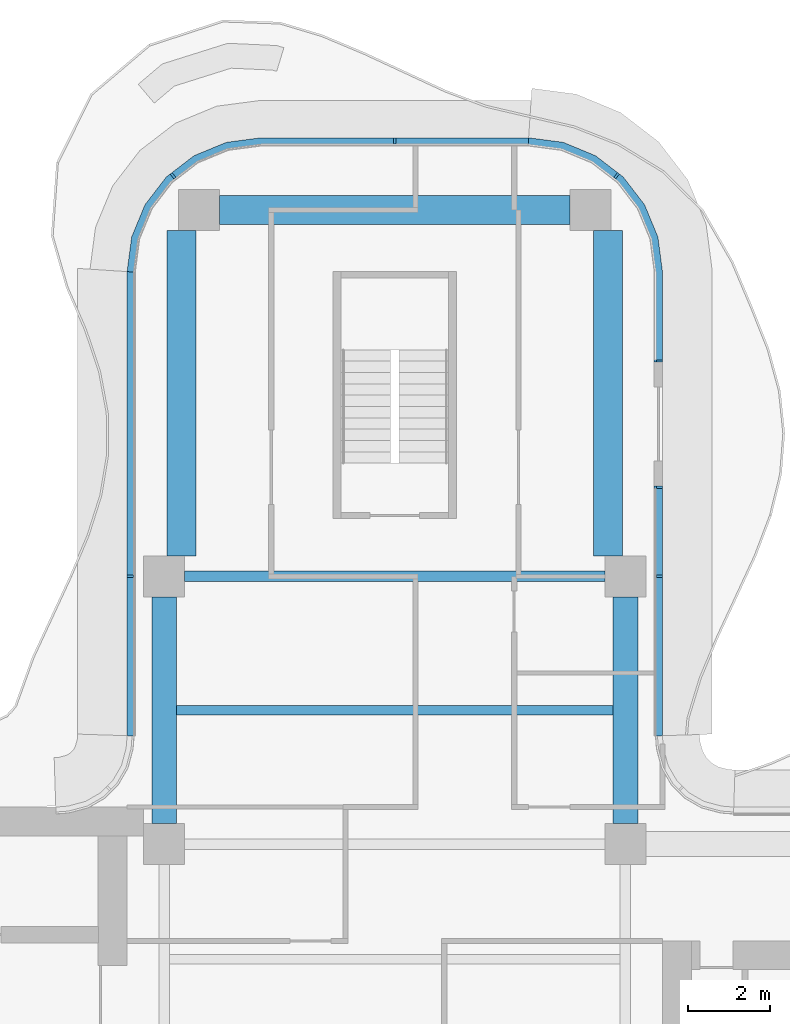
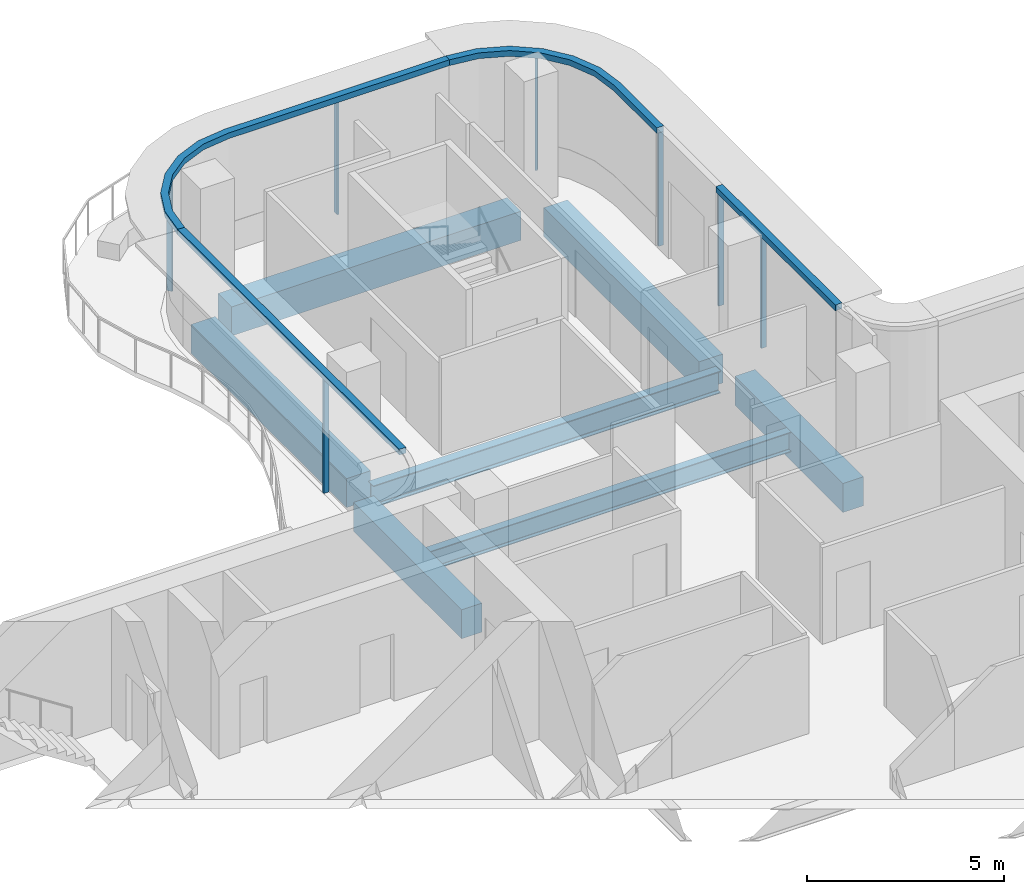
# One storey, part 7 of 15: 11 members, 7 beams, 4 elements without a shape of their own.
"""IFC4 building model written with IfcOpenShell, lengths in metres."""

import ifcopenshell
import ifcopenshell.guid

model = None  # the IFC model being written
_history = None  # IfcOwnerHistory: only IFC2X3 demands one
_inside = {}  # id of a spatial element -> (the spatial element, [elements in it])
_under = {}  # id of a project, library or spatial element -> (it, [spatial elements below it])
_declared = {}  # id of a project -> (the project, [libraries it declares])
_typed = {}  # id of a type object -> (the type object, [elements of that type])
_made_of = {}  # id of a material, layer set ... -> (it, [elements and type objects made of it])


def new_model(schema):
    """Start an empty IFC model of exactly this schema.

    Asked for "IFC4X3", IfcOpenShell would pick the latest addendum, in which some entities
    have other attributes; the version numbers below select the first issue.
    IFC2X3 requires an IfcOwnerHistory on every rooted entity: one is made here for all.
    """
    global model, _history
    if schema == "IFC4X3":
        model = ifcopenshell.file(schema_version=(4, 3, 0, 0))
    else:
        model = ifcopenshell.file(schema=schema)
    _inside.clear()
    _under.clear()
    _declared.clear()
    _typed.clear()
    _made_of.clear()
    _history = None
    if model.schema == "IFC2X3":
        org = make("IfcOrganization", Name="unknown")
        user = make(
            "IfcPersonAndOrganization",
            ThePerson=make("IfcPerson", FamilyName="unknown"),
            TheOrganization=org,
        )
        app = make(
            "IfcApplication",
            ApplicationDeveloper=org,
            Version="unknown",
            ApplicationFullName="unknown",
            ApplicationIdentifier="unknown",
        )
        _history = make(
            "IfcOwnerHistory",
            OwningUser=user,
            OwningApplication=app,
            ChangeAction="ADDED",
            CreationDate=0,
        )
    return model


def make(cls, **values):
    """One entity of the class cls with the attributes given. An attribute that is None is left unset."""
    return model.create_entity(
        cls, **{name: value for name, value in values.items() if value is not None}
    )


def rooted(cls, **values):
    """An entity with a GlobalId (a new one), such as an element, a storey or a relation."""
    return make(cls, GlobalId=ifcopenshell.guid.new(), OwnerHistory=_history, **values)


def si_unit(unit_type, name, prefix=None):
    """IfcSIUnit, for example si_unit("LENGTHUNIT", "METRE", prefix="MILLI")."""
    return make("IfcSIUnit", UnitType=unit_type, Prefix=prefix, Name=name)


def assignment(units):
    """IfcUnitAssignment: the units of a project."""
    return None if units is None else make("IfcUnitAssignment", Units=units)


def point(xyz):
    """IfcCartesianPoint."""
    return None if xyz is None else make("IfcCartesianPoint", Coordinates=xyz)


def direction(xyz):
    """IfcDirection."""
    return None if xyz is None else make("IfcDirection", DirectionRatios=xyz)


def frame(location, z_axis=None, x_axis=None):
    """IfcAxis2Placement3D, a coordinate frame: its origin and axes. An axis left out is left unset."""
    return make(
        "IfcAxis2Placement3D",
        Location=point(location),
        Axis=direction(z_axis),
        RefDirection=direction(x_axis),
    )


def frame_2d(location, x_axis=None):
    """IfcAxis2Placement2D, a coordinate frame in the plane: its origin and x axis."""
    return make(
        "IfcAxis2Placement2D", Location=point(location), RefDirection=direction(x_axis)
    )


def origin():
    """The frame at (0, 0, 0) with its axes left unset."""
    return frame((0.0, 0.0, 0.0))


def origin_2d():
    """The frame at (0, 0) in the plane with its x axis left unset."""
    return frame_2d((0.0, 0.0))


def place(relative_to, where):
    """IfcLocalPlacement: puts the frame where relative to a parent placement (None: the world)."""
    return make(
        "IfcLocalPlacement", PlacementRelTo=relative_to, RelativePlacement=where
    )


def context(
    kind, dimensions, precision=None, world=None, true_north=None, identifier=None
):
    """IfcGeometricRepresentationContext, for example the 3D "Model" context."""
    return make(
        "IfcGeometricRepresentationContext",
        ContextIdentifier=identifier,
        ContextType=kind,
        CoordinateSpaceDimension=dimensions,
        Precision=precision,
        WorldCoordinateSystem=world,
        TrueNorth=true_north,
    )


def subcontext(parent, identifier, kind, view, scale=None):
    """IfcGeometricRepresentationSubContext, for example "Body" below "Model"."""
    return make(
        "IfcGeometricRepresentationSubContext",
        ContextIdentifier=identifier,
        ContextType=kind,
        ParentContext=parent,
        TargetScale=scale,
        TargetView=view,
    )


def project(units=None, contexts=None):
    """IfcProject with its units and contexts."""
    return rooted(
        "IfcProject",
        Name="project",
        RepresentationContexts=contexts,
        UnitsInContext=assignment(units),
    )


def spatial(cls, under=None, at=None, **own):
    """A site, building, storey or space (cls), placed at a placement, below another one or the project."""
    s = rooted(cls, ObjectPlacement=at, **own)
    if under is not None:
        _under.setdefault(under.id(), (under, []))[1].append(s)
    return s


def polyline(points):
    """IfcPolyline through the points."""
    return make("IfcPolyline", Points=[point(p) for p in points])


def profile(cls, at=None, kind="AREA", **sizes):
    """A parametric profile (cls). Its sizes go by their IFC names, for example OverallWidth=200.0."""
    return make(cls, ProfileType=kind, Position=at, **sizes)


def rectangle(**sizes):
    """IfcRectangleProfileDef."""
    return profile("IfcRectangleProfileDef", **sizes)


def i_section(**sizes):
    """IfcIShapeProfileDef."""
    return profile("IfcIShapeProfileDef", **sizes)


def outline(outer, holes=None, kind="AREA"):
    """IfcArbitraryClosedProfileDef: a profile drawn as a closed curve; with holes, ...WithVoids."""
    if holes is None:
        return make("IfcArbitraryClosedProfileDef", ProfileType=kind, OuterCurve=outer)
    return make(
        "IfcArbitraryProfileDefWithVoids",
        ProfileType=kind,
        OuterCurve=outer,
        InnerCurves=holes,
    )


def extrude(swept, where, along, depth):
    """IfcExtrudedAreaSolid: the profile swept, set in the frame where, extruded along a direction by depth."""
    return make(
        "IfcExtrudedAreaSolid",
        SweptArea=swept,
        Position=where,
        ExtrudedDirection=direction(along),
        Depth=depth,
    )


def shape(context_of_items, identifier, shape_type, items):
    """IfcShapeRepresentation: the items that make up one representation, for example the "Body"."""
    return make(
        "IfcShapeRepresentation",
        ContextOfItems=context_of_items,
        RepresentationIdentifier=identifier,
        RepresentationType=shape_type,
        Items=items,
    )


def source(mapping_origin, context_of_items, identifier, shape_type, items):
    """IfcRepresentationMap: a shape defined once, which mapped items show again and again."""
    return make(
        "IfcRepresentationMap",
        MappingOrigin=mapping_origin,
        MappedRepresentation=shape(context_of_items, identifier, shape_type, items),
    )


def transform(
    local_origin,
    x_axis=None,
    y_axis=None,
    z_axis=None,
    scale=None,
    scale2=None,
    scale3=None,
    uniform=True,
):
    """IfcCartesianTransformationOperator3D, or its non-uniform kind. x_axis, y_axis, z_axis: its Axis1, 2, 3."""
    if uniform:
        return make(
            "IfcCartesianTransformationOperator3D",
            Axis1=direction(x_axis),
            Axis2=direction(y_axis),
            LocalOrigin=point(local_origin),
            Scale=scale,
            Axis3=direction(z_axis),
        )
    return make(
        "IfcCartesianTransformationOperator3DnonUniform",
        Axis1=direction(x_axis),
        Axis2=direction(y_axis),
        LocalOrigin=point(local_origin),
        Scale=scale,
        Axis3=direction(z_axis),
        Scale2=scale2,
        Scale3=scale3,
    )


def mapped(mapping_source, mapping_target):
    """IfcMappedItem: shows the shape of a source again, moved by a transform."""
    return make(
        "IfcMappedItem", MappingSource=mapping_source, MappingTarget=mapping_target
    )


def material(Name=None, Category=None):
    """IfcMaterial."""
    return make("IfcMaterial", Name=Name, Category=Category)


def layer(
    of_material, thickness, ventilated=None, Name=None, Category=None, Priority=None
):
    """IfcMaterialLayer: one layer of a wall or slab, of a material (None: an air gap)."""
    return make(
        "IfcMaterialLayer",
        Material=of_material,
        LayerThickness=thickness,
        IsVentilated=ventilated,
        Name=Name,
        Category=Category,
        Priority=Priority,
    )


def layer_set(layers, Name=None):
    """IfcMaterialLayerSet."""
    return make("IfcMaterialLayerSet", MaterialLayers=layers, LayerSetName=Name)


def material_profile(
    of_material, cross_section, Name=None, Category=None, Priority=None
):
    """IfcMaterialProfile: a cross section and its material."""
    return make(
        "IfcMaterialProfile",
        Name=Name,
        Material=of_material,
        Profile=cross_section,
        Priority=Priority,
        Category=Category,
    )


def profile_set(profiles, Name=None, composite=None):
    """IfcMaterialProfileSet."""
    return make(
        "IfcMaterialProfileSet",
        Name=Name,
        MaterialProfiles=profiles,
        CompositeProfile=composite,
    )


def made_of(thing, what):
    """Note that an element or type object is made of a material, layer set ...; save() writes the relation."""
    if what is not None:
        _made_of.setdefault(what.id(), (what, []))[1].append(thing)
    return thing


def type_object(cls, material=None, **own):
    """A type object (cls), such as IfcWallType, which elements share."""
    return made_of(rooted(cls, **own), material)


def element(
    cls,
    number,
    at=None,
    inside=None,
    cuts=None,
    type_object=None,
    material=None,
    context=None,
    identifier="Body",
    shape_type=None,
    held_by="IfcProductDefinitionShape",
    body=None,
    shapes=None,
    **own,
):
    """One element of the class cls, such as IfcWall. Its Tag is "e" and its number.

    at: its placement. inside: the storey or other place that contains it. cuts: it is an
    opening in that element (IfcRelVoidsElement). A single representation is given by context,
    identifier, shape_type and body (its items); several are given by shapes. held_by: the class
    of the entity that holds the representations. save() writes the other relations.
    """
    e = rooted(cls, Tag="e%d" % number, ObjectPlacement=at, **own)
    if body is not None:
        shapes = [shape(context, identifier, shape_type, body)]
    if shapes is not None:
        e.Representation = make(held_by, Representations=shapes)
    if inside is not None:
        _inside.setdefault(inside.id(), (inside, []))[1].append(e)
    if cuts is not None:
        rooted(
            "IfcRelVoidsElement", RelatingBuildingElement=cuts, RelatedOpeningElement=e
        )
    if type_object is not None:
        _typed.setdefault(type_object.id(), (type_object, []))[1].append(e)
    return made_of(e, material)


def aggregate(whole, parts):
    """IfcRelAggregates: a whole, such as a stair, and the parts it consists of."""
    return rooted("IfcRelAggregates", RelatingObject=whole, RelatedObjects=parts)


def save(model, path):
    """Write the relations noted so far, then the file.

    IfcRelAggregates (storeys below a building ...), IfcRelContainedInSpatialStructure (elements
    in a storey), IfcRelDefinesByType, IfcRelAssociatesMaterial and IfcRelDeclares: one each for
    every whole, place, type object, material and project.
    """
    for whole, parts in _under.values():
        aggregate(whole, parts)
    for where, things in _inside.values():
        rooted(
            "IfcRelContainedInSpatialStructure",
            RelatedElements=things,
            RelatingStructure=where,
        )
    for kind, things in _typed.values():
        rooted("IfcRelDefinesByType", RelatedObjects=things, RelatingType=kind)
    for what, things in _made_of.values():
        rooted("IfcRelAssociatesMaterial", RelatedObjects=things, RelatingMaterial=what)
    for by, libraries in _declared.values():
        rooted("IfcRelDeclares", RelatingContext=by, RelatedDefinitions=libraries)
    model.write(path)


model = new_model("IFC4")

# Units and contexts
model_context = context("Model", 3, precision=1e-05, world=origin(), true_north=direction((0.0, 1.0)))
body_context = subcontext(model_context, "Body", "Model", "MODEL_VIEW")
ifc_project = project(units=[si_unit("LENGTHUNIT", "METRE"), si_unit("AREAUNIT", "SQUARE_METRE"), si_unit("VOLUMEUNIT", "CUBIC_METRE"), si_unit("PLANEANGLEUNIT", "RADIAN"), si_unit("MASSUNIT", "GRAM", prefix="KILO")], contexts=[model_context])

# Site, building, storey
site_placement = place(None, origin())
site = spatial("IfcSite", under=ifc_project, at=site_placement, CompositionType="ELEMENT")
building_placement = place(site_placement, origin())
building = spatial("IfcBuilding", under=site, at=building_placement, Name="Trellis Farm Tower", CompositionType="ELEMENT")
storey_placement = place(building_placement, frame((0.0, 0.0, 287.199951171875)))
storey = spatial("IfcBuildingStorey", under=building, at=storey_placement, Name="L64", CompositionType="ELEMENT", Elevation=287.199951171875)

# Beams
ifc_material_1 = material(Name="Steel S355", Category="steel")
ifc_material_profile_1 = material_profile(ifc_material_1, i_section(OverallWidth=0.22900390625, OverallDepth=0.6123046875, WebThickness=0.011962890625, FlangeThickness=0.01953125, FilletRadius=0.0126953125, at=origin_2d()), Name="UB 610x229x125")
ifc_profile_set_1 = profile_set([ifc_material_profile_1], Name="Steel S355")
beam_type_1 = type_object("IfcBeamType", Name="UB 610x229x125 joist", PredefinedType="JOIST", material=ifc_profile_set_1)
shared_shape_1 = source(origin(), body_context, "Body", "SweptSolid", [
    extrude(i_section(OverallWidth=0.22900390625, OverallDepth=0.6123046875, WebThickness=0.011962890625, FlangeThickness=0.01953125, FilletRadius=0.0126953125, at=origin_2d()), origin(), (0.0, 0.0, 1.0), 10.60009765625),
])
beam_1_placement = place(storey_placement, frame((-5.300048828125, 8.85009765625, -0.506103515625), z_axis=(1.0, 0.0, 0.0), x_axis=(0.0, 1.0, 0.0)))
element("IfcBeam", 1, at=beam_1_placement, inside=storey, type_object=beam_type_1, Name="Floor beam", PredefinedType="JOIST", context=body_context, shape_type="MappedRepresentation", body=[
    mapped(shared_shape_1, transform((0.0, 0.0, 0.0))),
])
ifc_material_profile_2 = material_profile(ifc_material_1, i_section(OverallWidth=0.253662109375, OverallDepth=0.68359375, WebThickness=0.012451171875, FlangeThickness=0.021728515625, FilletRadius=0.01513671875, at=origin_2d()), Name="UB 686x254x140")
ifc_profile_set_2 = profile_set([ifc_material_profile_2], Name="Steel S355")
beam_type_2 = type_object("IfcBeamType", Name="UB 686x254x140", PredefinedType="BEAM", material=ifc_profile_set_2)
shared_shape_2 = source(origin(), body_context, "Body", "SweptSolid", [
    extrude(i_section(OverallWidth=0.253662109375, OverallDepth=0.68359375, WebThickness=0.012451171875, FlangeThickness=0.021728515625, FilletRadius=0.01513671875, at=origin_2d()), origin(), (0.0, 0.0, 1.0), 10.2001953125),
])
beam_2_placement = place(storey_placement, frame((-5.10009765625, 12.10009765625, -0.541748046875), z_axis=(1.0, 0.0, 0.0), x_axis=(0.0, 1.0, 0.0)))
element("IfcBeam", 2, at=beam_2_placement, inside=storey, type_object=beam_type_2, Name="Girder", PredefinedType="BEAM", context=body_context, shape_type="MappedRepresentation", body=[
    mapped(shared_shape_2, transform((0.0, 0.0, 0.0))),
])
ifc_material_2 = material(Name="Concrete C60/75", Category="concrete")
ifc_material_profile_3 = material_profile(ifc_material_2, rectangle(XDim=0.60009765625, YDim=0.89990234375, at=origin_2d()), Name="RC spandrel beam 600x900 C60/75")
ifc_profile_set_3 = profile_set([ifc_material_profile_3], Name="Concrete C60/75")
beam_type_3 = type_object("IfcBeamType", Name="RC spandrel beam 600x900 C60/75", PredefinedType="SPANDREL", material=ifc_profile_set_3)
shared_shape_3 = source(origin(), body_context, "Body", "SweptSolid", [
    extrude(rectangle(XDim=0.60009765625, YDim=0.89990234375, at=origin_2d()), origin(), (0.0, 0.0, 1.0), 5.5),
])
for number, where, z_axis, x_axis, name in (
    (3, (-5.60009765625, 6.10009765625, -0.64990234375), (0.0, 1.0, 0.0), (-1.0, 0.0, 0.0), "Girder"),
    (4, (5.60009765625, 6.10009765625, -0.64990234375), (0.0, 1.0, 0.0), (-1.0, 0.0, 0.0), "Girder"),
):
    element("IfcBeam", number, at=place(storey_placement, frame(where, z_axis=z_axis, x_axis=x_axis)), inside=storey, type_object=beam_type_3, Name=name, PredefinedType="SPANDREL", context=body_context, shape_type="MappedRepresentation", body=[
        mapped(shared_shape_3, transform((0.0, 0.0, 0.0))),
    ])
ifc_material_profile_4 = material_profile(ifc_material_2, rectangle(XDim=0.699951171875, YDim=0.89990234375, at=origin_2d()), Name="RC spandrel beam 700x900 C60/75")
ifc_profile_set_4 = profile_set([ifc_material_profile_4], Name="Concrete C60/75")
beam_type_4 = type_object("IfcBeamType", Name="RC spandrel beam 700x900 C60/75", PredefinedType="SPANDREL", material=ifc_profile_set_4)
shared_shape_4 = source(origin(), body_context, "Body", "SweptSolid", [
    extrude(rectangle(XDim=0.699951171875, YDim=0.89990234375, at=origin_2d()), origin(), (0.0, 0.0, 1.0), 8.5),
])
beam_3_placement = place(storey_placement, frame((-4.25, 21.0, -0.64990234375), z_axis=(1.0, 0.0, 0.0), x_axis=(0.0, 1.0, 0.0)))
element("IfcBeam", 5, at=beam_3_placement, inside=storey, type_object=beam_type_4, Name="Girder", PredefinedType="SPANDREL", context=body_context, shape_type="MappedRepresentation", body=[
    mapped(shared_shape_4, transform((0.0, 0.0, 0.0))),
])
shared_shape_5 = source(origin(), body_context, "Body", "SweptSolid", [
    extrude(rectangle(XDim=0.699951171875, YDim=0.89990234375, at=origin_2d()), origin(), (0.0, 0.0, 1.0), 7.89990234375),
])
for number, where, z_axis, x_axis, name in (
    (6, (-5.175048828125, 12.60009765625, -0.64990234375), (0.0, 1.0, 0.0), (-1.0, 0.0, 0.0), "Girder"),
    (7, (5.175048828125, 12.60009765625, -0.64990234375), (0.0, 1.0, 0.0), (-1.0, 0.0, 0.0), "Girder"),
):
    element("IfcBeam", number, at=place(storey_placement, frame(where, z_axis=z_axis, x_axis=x_axis)), inside=storey, type_object=beam_type_4, Name=name, PredefinedType="SPANDREL", context=body_context, shape_type="MappedRepresentation", body=[
        mapped(shared_shape_5, transform((0.0, 0.0, 0.0))),
    ])

# Curtain wall, members
ifc_material_3 = material(Name="Aluminium and glass curtain wall", Category="aluminium")
ifc_layer_1 = layer(ifc_material_3, 0.18994140625)
ifc_layer_set_1 = layer_set([ifc_layer_1], Name="RIBBON CURTAIN WALL CW1")
curtain_wall_type = type_object("IfcCurtainWallType", Name="RIBBON CURTAIN WALL CW1", PredefinedType="NOTDEFINED", material=ifc_layer_set_1)
placement_1 = place(storey_placement, origin())
curtain_wall_1 = element("IfcCurtainWall", 8, at=placement_1, inside=storey, type_object=curtain_wall_type, Name="CW1 008", PredefinedType="NOTDEFINED")
ifc_material_4 = material(Name="Aluminium extrusion 6063-T6", Category="aluminium")
ifc_material_profile_5 = material_profile(ifc_material_4, rectangle(XDim=0.06005859375, YDim=0.14990234375, at=origin_2d()), Name="MULLION 60x150")
ifc_profile_set_5 = profile_set([ifc_material_profile_5], Name="Aluminium extrusion 6063-T6")
member_type_1 = type_object("IfcMemberType", Name="CW1 MULLION 60x150", PredefinedType="MULLION", material=ifc_profile_set_5)
shared_shape_6 = source(origin(), body_context, "Body", "SweptSolid", [
    extrude(rectangle(XDim=0.06005859375, YDim=0.14990234375, at=origin_2d()), origin(), (0.0, 0.0, 1.0), 3.52001953125),
])
member_1_placement = place(storey_placement, frame((6.425048828125, 12.10009765625, 0.0), z_axis=(0.0, 0.0, 1.0), x_axis=(0.0, 1.0, 0.0)))
member_1 = element("IfcMember", 9, at=member_1_placement, type_object=member_type_1, Name="MU1 008-01", PredefinedType="MULLION", context=body_context, shape_type="MappedRepresentation", body=[
    mapped(shared_shape_6, transform((0.0, 0.0, 0.0))),
])
member_2_placement = place(storey_placement, frame((6.425048828125, 14.27001953125, 0.0), z_axis=(0.0, 0.0, 1.0), x_axis=(0.0, 1.0, 0.0)))
member_2 = element("IfcMember", 10, at=member_2_placement, type_object=member_type_1, Name="MU1 008-02", PredefinedType="MULLION", context=body_context, shape_type="MappedRepresentation", body=[
    mapped(shared_shape_6, transform((0.0, 0.0, 0.0))),
])

curtain_wall_2 = element("IfcCurtainWall", 11, at=placement_1, inside=storey, type_object=curtain_wall_type, Name="CW1 009", PredefinedType="NOTDEFINED")
member_3_placement = place(storey_placement, frame((6.425048828125, 17.330078125, 0.0), z_axis=(0.0, 0.0, 1.0), x_axis=(0.0, 1.0, 0.0)))
member_3 = element("IfcMember", 12, at=member_3_placement, type_object=member_type_1, Name="MU1 009-01", PredefinedType="MULLION", context=body_context, shape_type="MappedRepresentation", body=[
    mapped(shared_shape_6, transform((0.0, 0.0, 0.0))),
])
member_4_placement = place(storey_placement, frame((5.385498046875, 21.828369140625, 0.0), z_axis=(0.0, 0.0, 1.0), x_axis=(-0.793353340291, 0.608761429009, 0.0)))
member_4 = element("IfcMember", 13, at=member_4_placement, type_object=member_type_1, Name="MU1 009-02", PredefinedType="MULLION", context=body_context, shape_type="MappedRepresentation", body=[
    mapped(shared_shape_6, transform((0.0, 0.0, 0.0))),
])

curtain_wall_3 = element("IfcCurtainWall", 14, at=placement_1, inside=storey, type_object=curtain_wall_type, Name="CW1 010", PredefinedType="NOTDEFINED")
member_5_placement = place(storey_placement, frame((0.0, 22.675048828125, 0.0), z_axis=(0.0, 0.0, 1.0), x_axis=(-1.0, 0.0, 0.0)))
member_5 = element("IfcMember", 15, at=member_5_placement, type_object=member_type_1, Name="MU1 010-01", PredefinedType="MULLION", context=body_context, shape_type="MappedRepresentation", body=[
    mapped(shared_shape_6, transform((0.0, 0.0, 0.0))),
])
member_6_placement = place(storey_placement, frame((-5.385498046875, 21.828369140625, 0.0), z_axis=(0.0, 0.0, 1.0), x_axis=(-0.793353340291, -0.608761429009, 0.0)))
member_6 = element("IfcMember", 16, at=member_6_placement, type_object=member_type_1, Name="MU1 010-02", PredefinedType="MULLION", context=body_context, shape_type="MappedRepresentation", body=[
    mapped(shared_shape_6, transform((0.0, 0.0, 0.0))),
])

# Curtain wall, member
curtain_wall_4 = element("IfcCurtainWall", 17, at=placement_1, inside=storey, type_object=curtain_wall_type, Name="CW1 011", PredefinedType="NOTDEFINED")
member_7_placement = place(storey_placement, frame((-6.425048828125, 12.10009765625, 0.0), z_axis=(0.0, 0.0, 1.0), x_axis=(0.0, -1.0, 0.0)))
member_7 = element("IfcMember", 18, at=member_7_placement, type_object=member_type_1, Name="MU1 011-01", PredefinedType="MULLION", context=body_context, shape_type="MappedRepresentation", body=[
    mapped(shared_shape_6, transform((0.0, 0.0, 0.0))),
])

# Member
ifc_layer_2 = layer(ifc_material_4, 0.199951171875)
ifc_layer_set_2 = layer_set([ifc_layer_2], Name="Aluminium extrusion 6063-T6")
member_type_2 = type_object("IfcMemberType", Name="CW1 TRANSOM 200x180", PredefinedType="USERDEFINED", material=ifc_layer_set_2)
shared_shape_7 = source(origin(), body_context, "Body", "SweptSolid", [
    extrude(outline(polyline([(3.25, 22.75), (-3.25, 22.75), (-4.091064453125, 22.63916015625), (-4.875, 22.314697265625), (-5.548095703125, 21.798095703125), (-6.064697265625, 21.125), (-6.38916015625, 20.341064453125), (-6.5, 19.5), (-6.300048828125, 19.48681640625), (-6.1943359375, 20.2890625), (-5.889892578125, 21.024169921875), (-5.405517578125, 21.655517578125), (-4.774169921875, 22.139892578125), (-4.0390625, 22.4443359375), (-3.23681640625, 22.550048828125), (3.23681640625, 22.550048828125), (3.25, 22.75)])), origin(), (0.0, 0.0, 1.0), 0.179931640625),
])
placement_2 = place(storey_placement, frame((0.0, 0.0, 3.52001953125)))
member_8 = element("IfcMember", 19, at=placement_2, type_object=member_type_2, Name="TR1 010", ObjectType="TRANSOM", PredefinedType="USERDEFINED", context=body_context, shape_type="MappedRepresentation", body=[
    mapped(shared_shape_7, transform((0.0, 0.0, 0.0))),
])

aggregate(curtain_wall_3, [member_5, member_6, member_8])

shared_shape_8 = source(origin(), body_context, "Body", "SweptSolid", [
    extrude(outline(polyline([(-6.5, 19.5), (-6.5, 8.2314453125), (-6.300048828125, 8.224853515625), (-6.300048828125, 19.48681640625), (-6.5, 19.5)])), origin(), (0.0, 0.0, 1.0), 0.179931640625),
])
member_9 = element("IfcMember", 20, at=placement_2, type_object=member_type_2, Name="TR1 011", ObjectType="TRANSOM", PredefinedType="USERDEFINED", context=body_context, shape_type="MappedRepresentation", body=[
    mapped(shared_shape_8, transform((0.0, 0.0, 0.0))),
])

aggregate(curtain_wall_4, [member_7, member_9])

shared_shape_9 = source(origin(), body_context, "Body", "SweptSolid", [
    extrude(outline(polyline([(6.5, 8.2314453125), (6.5, 14.300048828125), (6.300048828125, 14.300048828125), (6.300048828125, 8.224853515625), (6.5, 8.2314453125)])), origin(), (0.0, 0.0, 1.0), 0.179931640625),
])
member_10 = element("IfcMember", 21, at=placement_2, type_object=member_type_2, Name="TR1 008", ObjectType="TRANSOM", PredefinedType="USERDEFINED", context=body_context, shape_type="MappedRepresentation", body=[
    mapped(shared_shape_9, transform((0.0, 0.0, 0.0))),
])

aggregate(curtain_wall_1, [member_1, member_2, member_10])

shared_shape_10 = source(origin(), body_context, "Body", "SweptSolid", [
    extrude(outline(polyline([(6.5, 17.300048828125), (6.5, 19.5), (6.38916015625, 20.341064453125), (6.064697265625, 21.125), (5.548095703125, 21.798095703125), (4.875, 22.314697265625), (4.091064453125, 22.63916015625), (3.25, 22.75), (3.23681640625, 22.550048828125), (4.0390625, 22.4443359375), (4.774169921875, 22.139892578125), (5.405517578125, 21.655517578125), (5.889892578125, 21.024169921875), (6.1943359375, 20.2890625), (6.300048828125, 19.48681640625), (6.300048828125, 17.300048828125), (6.5, 17.300048828125)])), origin(), (0.0, 0.0, 1.0), 0.179931640625),
])
member_11 = element("IfcMember", 22, at=placement_2, type_object=member_type_2, Name="TR1 009", ObjectType="TRANSOM", PredefinedType="USERDEFINED", context=body_context, shape_type="MappedRepresentation", body=[
    mapped(shared_shape_10, transform((0.0, 0.0, 0.0))),
])

aggregate(curtain_wall_2, [member_3, member_4, member_11])

save(model, "model.ifc")
